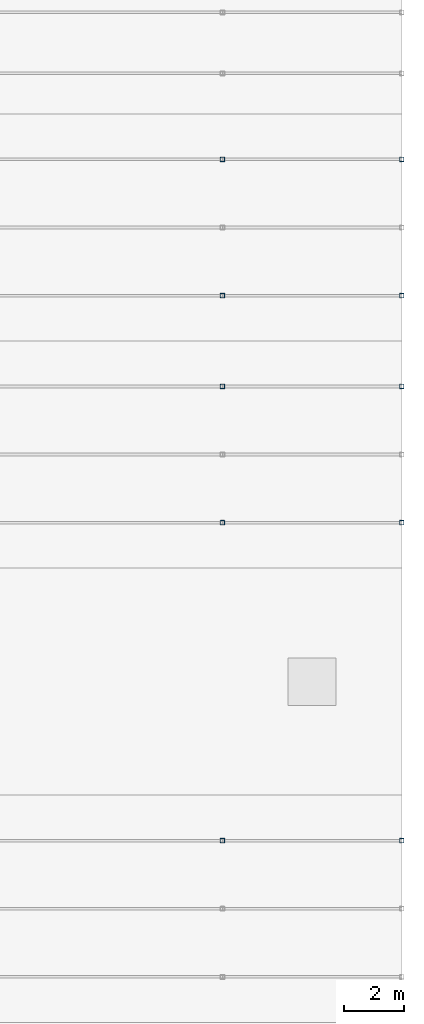
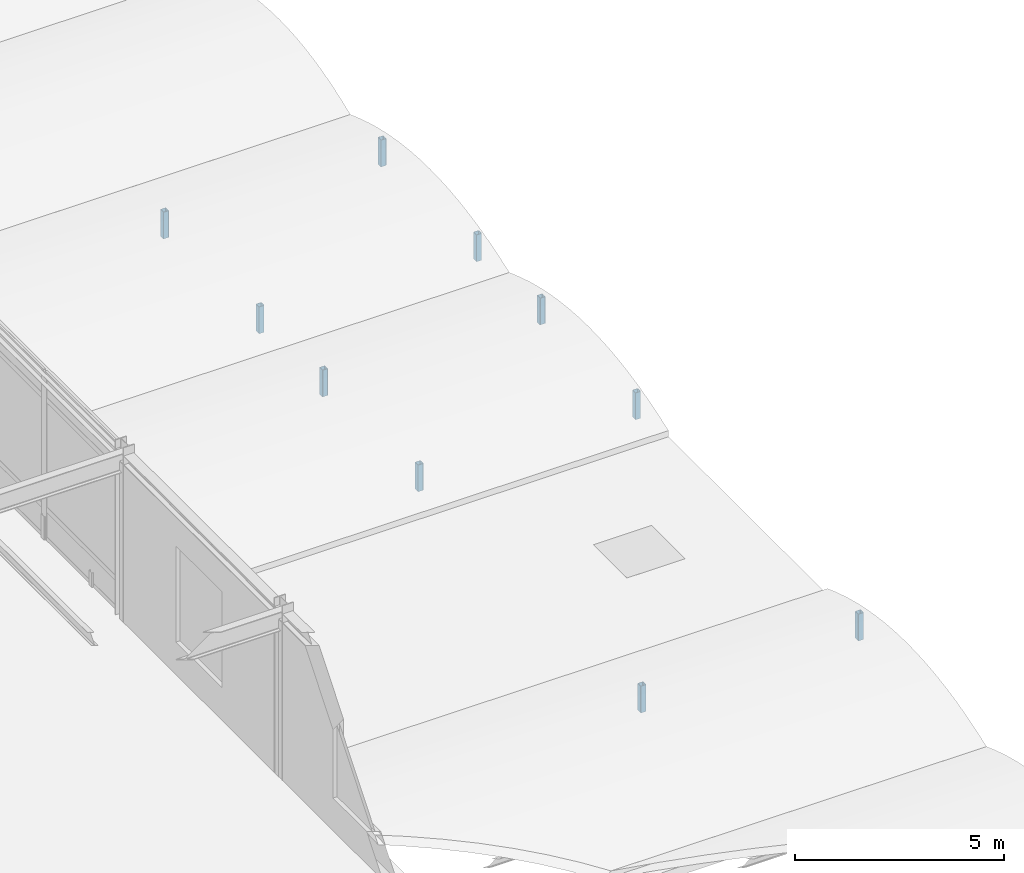
# One storey, part 86 of 113: 10 members.
"""IFC4 building model written with IfcOpenShell, lengths in metres."""

import ifcopenshell
import ifcopenshell.guid

model = None  # the IFC model being written
_history = None  # IfcOwnerHistory: only IFC2X3 demands one
_inside = {}  # id of a spatial element -> (the spatial element, [elements in it])
_under = {}  # id of a project, library or spatial element -> (it, [spatial elements below it])
_declared = {}  # id of a project -> (the project, [libraries it declares])
_typed = {}  # id of a type object -> (the type object, [elements of that type])
_made_of = {}  # id of a material, layer set ... -> (it, [elements and type objects made of it])


def new_model(schema):
    """Start an empty IFC model of exactly this schema.

    Asked for "IFC4X3", IfcOpenShell would pick the latest addendum, in which some entities
    have other attributes; the version numbers below select the first issue.
    IFC2X3 requires an IfcOwnerHistory on every rooted entity: one is made here for all.
    """
    global model, _history
    if schema == "IFC4X3":
        model = ifcopenshell.file(schema_version=(4, 3, 0, 0))
    else:
        model = ifcopenshell.file(schema=schema)
    _inside.clear()
    _under.clear()
    _declared.clear()
    _typed.clear()
    _made_of.clear()
    _history = None
    if model.schema == "IFC2X3":
        org = make("IfcOrganization", Name="unknown")
        user = make(
            "IfcPersonAndOrganization",
            ThePerson=make("IfcPerson", FamilyName="unknown"),
            TheOrganization=org,
        )
        app = make(
            "IfcApplication",
            ApplicationDeveloper=org,
            Version="unknown",
            ApplicationFullName="unknown",
            ApplicationIdentifier="unknown",
        )
        _history = make(
            "IfcOwnerHistory",
            OwningUser=user,
            OwningApplication=app,
            ChangeAction="ADDED",
            CreationDate=0,
        )
    return model


def make(cls, **values):
    """One entity of the class cls with the attributes given. An attribute that is None is left unset."""
    return model.create_entity(
        cls, **{name: value for name, value in values.items() if value is not None}
    )


def rooted(cls, **values):
    """An entity with a GlobalId (a new one), such as an element, a storey or a relation."""
    return make(cls, GlobalId=ifcopenshell.guid.new(), OwnerHistory=_history, **values)


def si_unit(unit_type, name, prefix=None):
    """IfcSIUnit, for example si_unit("LENGTHUNIT", "METRE", prefix="MILLI")."""
    return make("IfcSIUnit", UnitType=unit_type, Prefix=prefix, Name=name)


def assignment(units):
    """IfcUnitAssignment: the units of a project."""
    return None if units is None else make("IfcUnitAssignment", Units=units)


def point(xyz):
    """IfcCartesianPoint."""
    return None if xyz is None else make("IfcCartesianPoint", Coordinates=xyz)


def direction(xyz):
    """IfcDirection."""
    return None if xyz is None else make("IfcDirection", DirectionRatios=xyz)


def frame(location, z_axis=None, x_axis=None):
    """IfcAxis2Placement3D, a coordinate frame: its origin and axes. An axis left out is left unset."""
    return make(
        "IfcAxis2Placement3D",
        Location=point(location),
        Axis=direction(z_axis),
        RefDirection=direction(x_axis),
    )


def frame_2d(location, x_axis=None):
    """IfcAxis2Placement2D, a coordinate frame in the plane: its origin and x axis."""
    return make(
        "IfcAxis2Placement2D", Location=point(location), RefDirection=direction(x_axis)
    )


def origin():
    """The frame at (0, 0, 0) with its axes left unset."""
    return frame((0.0, 0.0, 0.0))


def origin_2d():
    """The frame at (0, 0) in the plane with its x axis left unset."""
    return frame_2d((0.0, 0.0))


def place(relative_to, where):
    """IfcLocalPlacement: puts the frame where relative to a parent placement (None: the world)."""
    return make(
        "IfcLocalPlacement", PlacementRelTo=relative_to, RelativePlacement=where
    )


def context(
    kind, dimensions, precision=None, world=None, true_north=None, identifier=None
):
    """IfcGeometricRepresentationContext, for example the 3D "Model" context."""
    return make(
        "IfcGeometricRepresentationContext",
        ContextIdentifier=identifier,
        ContextType=kind,
        CoordinateSpaceDimension=dimensions,
        Precision=precision,
        WorldCoordinateSystem=world,
        TrueNorth=true_north,
    )


def subcontext(parent, identifier, kind, view, scale=None):
    """IfcGeometricRepresentationSubContext, for example "Body" below "Model"."""
    return make(
        "IfcGeometricRepresentationSubContext",
        ContextIdentifier=identifier,
        ContextType=kind,
        ParentContext=parent,
        TargetScale=scale,
        TargetView=view,
    )


def project(units=None, contexts=None):
    """IfcProject with its units and contexts."""
    return rooted(
        "IfcProject",
        Name="project",
        RepresentationContexts=contexts,
        UnitsInContext=assignment(units),
    )


def spatial(cls, under=None, at=None, **own):
    """A site, building, storey or space (cls), placed at a placement, below another one or the project."""
    s = rooted(cls, ObjectPlacement=at, **own)
    if under is not None:
        _under.setdefault(under.id(), (under, []))[1].append(s)
    return s


def profile(cls, at=None, kind="AREA", **sizes):
    """A parametric profile (cls). Its sizes go by their IFC names, for example OverallWidth=200.0."""
    return make(cls, ProfileType=kind, Position=at, **sizes)


def hollow_rectangle(**sizes):
    """IfcRectangleHollowProfileDef."""
    return profile("IfcRectangleHollowProfileDef", **sizes)


def extrude(swept, where, along, depth):
    """IfcExtrudedAreaSolid: the profile swept, set in the frame where, extruded along a direction by depth."""
    return make(
        "IfcExtrudedAreaSolid",
        SweptArea=swept,
        Position=where,
        ExtrudedDirection=direction(along),
        Depth=depth,
    )


def shape(context_of_items, identifier, shape_type, items):
    """IfcShapeRepresentation: the items that make up one representation, for example the "Body"."""
    return make(
        "IfcShapeRepresentation",
        ContextOfItems=context_of_items,
        RepresentationIdentifier=identifier,
        RepresentationType=shape_type,
        Items=items,
    )


def material(Name=None, Category=None):
    """IfcMaterial."""
    return make("IfcMaterial", Name=Name, Category=Category)


def material_profile(
    of_material, cross_section, Name=None, Category=None, Priority=None
):
    """IfcMaterialProfile: a cross section and its material."""
    return make(
        "IfcMaterialProfile",
        Name=Name,
        Material=of_material,
        Profile=cross_section,
        Priority=Priority,
        Category=Category,
    )


def profile_set(profiles, Name=None, composite=None):
    """IfcMaterialProfileSet."""
    return make(
        "IfcMaterialProfileSet",
        Name=Name,
        MaterialProfiles=profiles,
        CompositeProfile=composite,
    )


def made_of(thing, what):
    """Note that an element or type object is made of a material, layer set ...; save() writes the relation."""
    if what is not None:
        _made_of.setdefault(what.id(), (what, []))[1].append(thing)
    return thing


def type_object(cls, material=None, **own):
    """A type object (cls), such as IfcWallType, which elements share."""
    return made_of(rooted(cls, **own), material)


def element(
    cls,
    number,
    at=None,
    inside=None,
    cuts=None,
    type_object=None,
    material=None,
    context=None,
    identifier="Body",
    shape_type=None,
    held_by="IfcProductDefinitionShape",
    body=None,
    shapes=None,
    **own,
):
    """One element of the class cls, such as IfcWall. Its Tag is "e" and its number.

    at: its placement. inside: the storey or other place that contains it. cuts: it is an
    opening in that element (IfcRelVoidsElement). A single representation is given by context,
    identifier, shape_type and body (its items); several are given by shapes. held_by: the class
    of the entity that holds the representations. save() writes the other relations.
    """
    e = rooted(cls, Tag="e%d" % number, ObjectPlacement=at, **own)
    if body is not None:
        shapes = [shape(context, identifier, shape_type, body)]
    if shapes is not None:
        e.Representation = make(held_by, Representations=shapes)
    if inside is not None:
        _inside.setdefault(inside.id(), (inside, []))[1].append(e)
    if cuts is not None:
        rooted(
            "IfcRelVoidsElement", RelatingBuildingElement=cuts, RelatedOpeningElement=e
        )
    if type_object is not None:
        _typed.setdefault(type_object.id(), (type_object, []))[1].append(e)
    return made_of(e, material)


def aggregate(whole, parts):
    """IfcRelAggregates: a whole, such as a stair, and the parts it consists of."""
    return rooted("IfcRelAggregates", RelatingObject=whole, RelatedObjects=parts)


def save(model, path):
    """Write the relations noted so far, then the file.

    IfcRelAggregates (storeys below a building ...), IfcRelContainedInSpatialStructure (elements
    in a storey), IfcRelDefinesByType, IfcRelAssociatesMaterial and IfcRelDeclares: one each for
    every whole, place, type object, material and project.
    """
    for whole, parts in _under.values():
        aggregate(whole, parts)
    for where, things in _inside.values():
        rooted(
            "IfcRelContainedInSpatialStructure",
            RelatedElements=things,
            RelatingStructure=where,
        )
    for kind, things in _typed.values():
        rooted("IfcRelDefinesByType", RelatedObjects=things, RelatingType=kind)
    for what, things in _made_of.values():
        rooted("IfcRelAssociatesMaterial", RelatedObjects=things, RelatingMaterial=what)
    for by, libraries in _declared.values():
        rooted("IfcRelDeclares", RelatingContext=by, RelatedDefinitions=libraries)
    model.write(path)


model = new_model("IFC4")

# Units and contexts
model_context = context("Model", 3, precision=1e-05, world=origin(), true_north=direction((0.0, 1.0)))
body_context = subcontext(model_context, "Body", "Model", "MODEL_VIEW")
ifc_project = project(units=[si_unit("LENGTHUNIT", "METRE"), si_unit("AREAUNIT", "SQUARE_METRE"), si_unit("VOLUMEUNIT", "CUBIC_METRE"), si_unit("PLANEANGLEUNIT", "RADIAN"), si_unit("MASSUNIT", "GRAM", prefix="KILO")], contexts=[model_context])

# Site, building, storey
site_placement = place(None, origin())
site = spatial("IfcSite", under=ifc_project, at=site_placement, CompositionType="ELEMENT")
building_placement = place(site_placement, origin())
building = spatial("IfcBuilding", under=site, at=building_placement, Name="Shalkamar Park Central Library", CompositionType="ELEMENT")
storey_placement = place(building_placement, frame((0.0, 0.0, 5.39990234375)))
storey = spatial("IfcBuildingStorey", under=building, at=storey_placement, Name="L02", CompositionType="ELEMENT", Elevation=5.39990234375)

# Members
ifc_material = material(Name="Steel S355", Category="steel")
ifc_material_profile = material_profile(ifc_material, hollow_rectangle(XDim=0.14990234375, YDim=0.14990234375, WallThickness=0.008056640625, InnerFilletRadius=0.008056640625, OuterFilletRadius=0.011962890625, at=origin_2d()), Name="SHS 150x150x8")
ifc_profile_set = profile_set([ifc_material_profile], Name="Steel S355")
member_type = type_object("IfcMemberType", Name="Diagonal Brace SHS150", PredefinedType="BRACE", material=ifc_profile_set)
for number, where, z_axis, x_axis, name in (
    (1, (282.0, 306.8798828125, -0.35986328125), (0.0, 0.0, 1.0), (1.0, 0.0, 0.0), "Vault Arch Post BV-L01-E7-21.3"),
    (2, (288.0, 306.8798828125, -0.35986328125), (0.0, 0.0, 1.0), (1.0, 0.0, 0.0), "Vault Arch Post BV-L01-E7-22.3"),
    (3, (282.0, 317.52001953125, -0.35986328125), (0.0, 0.0, 1.0), (1.0, 0.0, 0.0), "Vault Arch Post BV-L01-E8-21.1"),
    (4, (282.0, 322.080078125, -0.35986328125), (0.0, 0.0, 1.0), (1.0, 0.0, 0.0), "Vault Arch Post BV-L01-E8-21.3"),
    (5, (288.0, 317.52001953125, -0.35986328125), (0.0, 0.0, 1.0), (1.0, 0.0, 0.0), "Vault Arch Post BV-L01-E8-22.1"),
    (6, (288.0, 322.080078125, -0.35986328125), (0.0, 0.0, 1.0), (1.0, 0.0, 0.0), "Vault Arch Post BV-L01-E8-22.3"),
    (7, (282.0, 325.1201171875, -0.35986328125), (0.0, 0.0, 1.0), (1.0, 0.0, 0.0), "Vault Arch Post BV-L01-E9-21.1"),
    (8, (282.0, 329.679931640625, -0.35986328125), (0.0, 0.0, 1.0), (1.0, 0.0, 0.0), "Vault Arch Post BV-L01-E9-21.3"),
    (9, (288.0, 325.1201171875, -0.35986328125), (0.0, 0.0, 1.0), (1.0, 0.0, 0.0), "Vault Arch Post BV-L01-E9-22.1"),
    (10, (288.0, 329.679931640625, -0.35986328125), (0.0, 0.0, 1.0), (1.0, 0.0, 0.0), "Vault Arch Post BV-L01-E9-22.3"),
):
    element("IfcMember", number, at=place(storey_placement, frame(where, z_axis=z_axis, x_axis=x_axis)), inside=storey, type_object=member_type, Name=name, PredefinedType="BRACE", context=body_context, shape_type="SweptSolid", body=[
        extrude(hollow_rectangle(XDim=0.14990234375, YDim=0.14990234375, WallThickness=0.008056640625, InnerFilletRadius=0.008056640625, OuterFilletRadius=0.011962890625, at=origin_2d()), origin(), (0.0, 0.0, 1.0), 0.78076171875),
    ])

save(model, "model.ifc")
